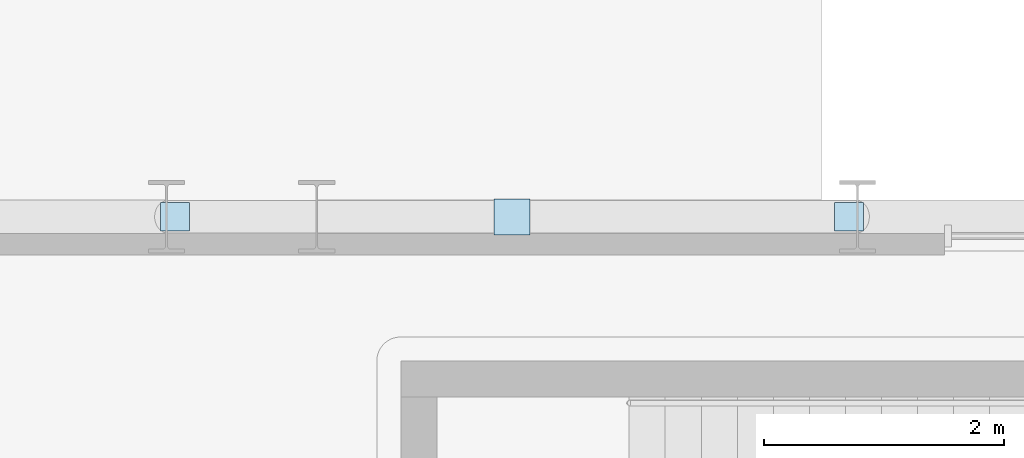
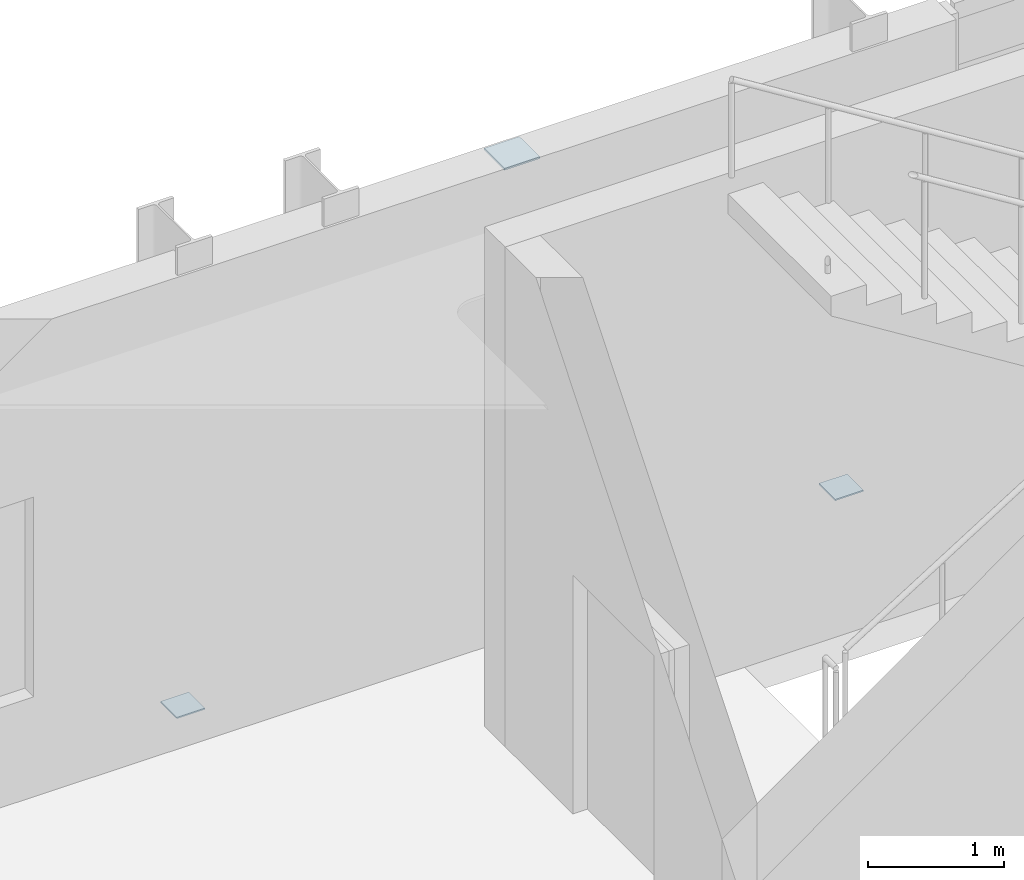
# One storey, part 62 of 100: 3 plates.
"""IFC4 building model written with IfcOpenShell, lengths in metres."""

from ifc_helpers import new_model, si_unit, direction, frame, origin, origin_2d, place, context, subcontext, project, spatial, rectangle, extrude, material, layer, layer_set, type_object, element, save


model = new_model("IFC4")

# Units and contexts
model_context = context("Model", 3, precision=1e-05, world=origin(), true_north=direction((0.0, 1.0)))
body_context = subcontext(model_context, "Body", "Model", "MODEL_VIEW")
ifc_project = project(units=[si_unit("LENGTHUNIT", "METRE"), si_unit("AREAUNIT", "SQUARE_METRE"), si_unit("VOLUMEUNIT", "CUBIC_METRE"), si_unit("PLANEANGLEUNIT", "RADIAN"), si_unit("MASSUNIT", "GRAM", prefix="KILO")], contexts=[model_context])

# Site, building, storey
site_placement = place(None, origin())
site = spatial("IfcSite", under=ifc_project, at=site_placement, CompositionType="ELEMENT")
building_placement = place(site_placement, origin())
building = spatial("IfcBuilding", under=site, at=building_placement, Name="Cymarion Research Institute", CompositionType="ELEMENT")
storey_placement = place(building_placement, frame((0.0, 0.0, 4.800048828125)))
storey = spatial("IfcBuildingStorey", under=building, at=storey_placement, Name="L01", CompositionType="ELEMENT", Elevation=4.800048828125)

# Plates
ifc_material = material(Name="Steel S355", Category="steel")
ifc_layer_1 = layer(ifc_material, 0.01806640625)
ifc_layer_set_1 = layer_set([ifc_layer_1], Name="Steel S355")
plate_type_1 = type_object("IfcPlateType", Name="STEEL NODE GUSSET PLATE CP01 18MM", PredefinedType="USERDEFINED", material=ifc_layer_set_1)
plate_placement = place(storey_placement, frame((88.22509765625, 41.5, 4.100830078125), z_axis=(0.0, 0.0, 1.0), x_axis=(1.0, 0.0, 0.0)))
element("IfcPlate", 1, at=plate_placement, inside=storey, type_object=plate_type_1, Name="L01 V2 chevron apex gusset plate", ObjectType="GUSSET PLATE", PredefinedType="USERDEFINED", context=body_context, shape_type="SweptSolid", body=[
    extrude(rectangle(XDim=0.300048828125, YDim=0.300048828125, at=origin_2d()), origin(), (0.0, 0.0, 1.0), 0.01806640625),
])
ifc_layer_2 = layer(ifc_material, 0.011962890625)
ifc_layer_set_2 = layer_set([ifc_layer_2], Name="Steel S355")
plate_type_2 = type_object("IfcPlateType", Name="STEEL NODE GUSSET PLATE CP02 12MM", PredefinedType="USERDEFINED", material=ifc_layer_set_2)
for number, where, z_axis, x_axis, name in (
    (2, (85.420166015625, 41.5, 0.11376953125), (0.0, 0.0, 1.0), (1.0, 0.0, 0.0), "L01 V2 chevron base gusset plate #1"),
    (3, (91.02978515625, 41.5, 0.11376953125), (0.0, 0.0, 1.0), (1.0, 0.0, 0.0), "L01 V2 chevron base gusset plate #2"),
):
    element("IfcPlate", number, at=place(storey_placement, frame(where, z_axis=z_axis, x_axis=x_axis)), inside=storey, type_object=plate_type_2, Name=name, ObjectType="GUSSET PLATE", PredefinedType="USERDEFINED", context=body_context, shape_type="SweptSolid", body=[
        extrude(rectangle(XDim=0.239990234375, YDim=0.239990234375, at=origin_2d()), origin(), (0.0, 0.0, 1.0), 0.011962890625),
    ])

save(model, "model.ifc")
